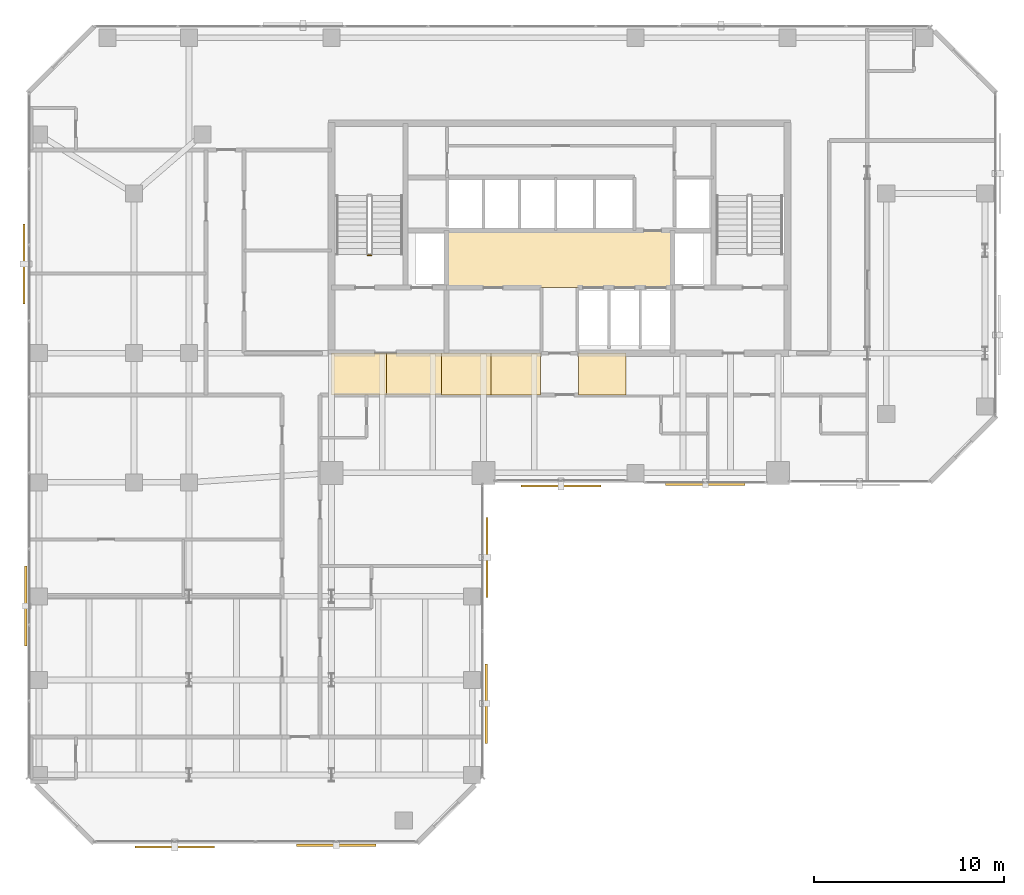
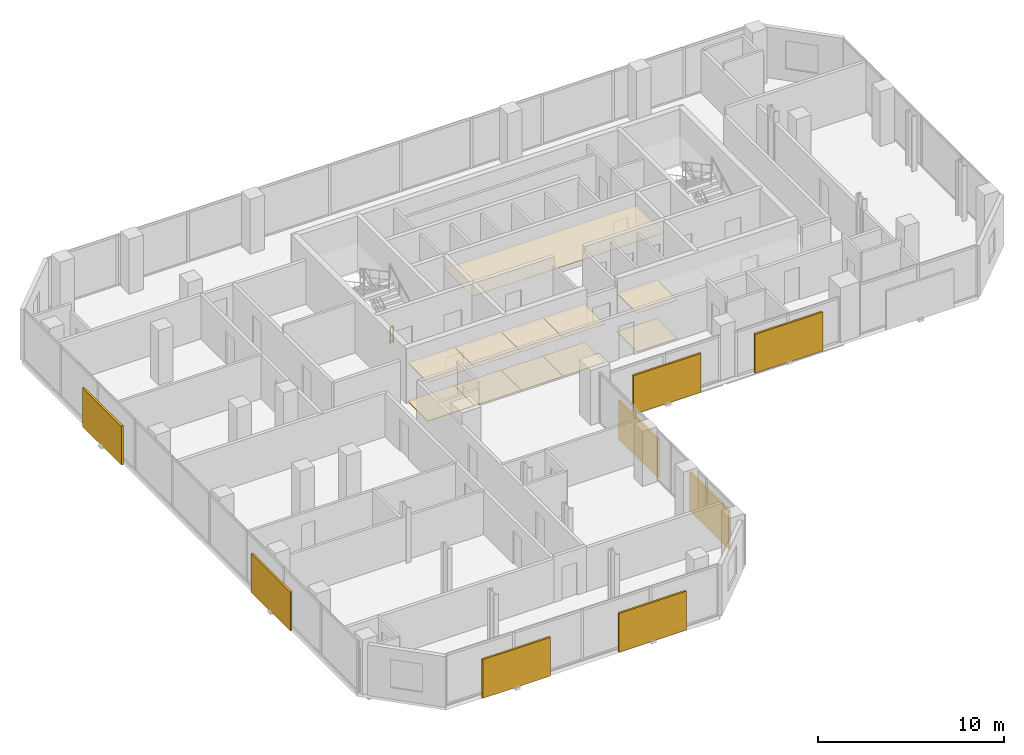
# One storey, part 32 of 33: 11 coverings, 8 shading devices, 1 railing.
"""IFC4 building model written with IfcOpenShell, lengths in metres."""

from ifc_helpers import new_model, si_unit, direction, frame, origin, origin_2d, place, context, subcontext, project, spatial, polyline, rectangle, circle, outline, extrude, material, layer, layer_set, type_object, element, save


model = new_model("IFC4")

# Units and contexts
model_context = context("Model", 3, precision=1e-05, world=origin(), true_north=direction((0.0, 1.0)))
body_context = subcontext(model_context, "Body", "Model", "MODEL_VIEW")
ifc_project = project(units=[si_unit("LENGTHUNIT", "METRE"), si_unit("AREAUNIT", "SQUARE_METRE"), si_unit("VOLUMEUNIT", "CUBIC_METRE"), si_unit("PLANEANGLEUNIT", "RADIAN"), si_unit("MASSUNIT", "GRAM", prefix="KILO")], contexts=[model_context])

# Site, building, storey
site_placement = place(None, origin())
site = spatial("IfcSite", under=ifc_project, at=site_placement, CompositionType="ELEMENT")
building_placement = place(site_placement, origin())
building = spatial("IfcBuilding", under=site, at=building_placement, Name="Catumbela Crestline Tower", CompositionType="ELEMENT")
storey_placement = place(building_placement, frame((0.0, 0.0, 108.0)))
storey = spatial("IfcBuildingStorey", under=building, at=storey_placement, Name="L27", CompositionType="ELEMENT", Elevation=108.0)

# Coverings
ifc_material_1 = material(Name="Mineral-fibre acoustic ceiling")
ifc_layer_1 = layer(ifc_material_1, 0.03, Name="Mineral-fibre acoustic ceiling")
ifc_layer_set_1 = layer_set([ifc_layer_1], Name="Mineral-fibre acoustic ceiling")
covering_type_1 = type_object("IfcCoveringType", Name="CC-AC", PredefinedType="CEILING", material=ifc_layer_set_1)
covering_1_placement = place(storey_placement, frame((0.0, 0.0, 2.65)))
element("IfcCovering", 1, at=covering_1_placement, inside=storey, type_object=covering_type_1, Name="L27 Lift Lobby Acoustic Ceiling", PredefinedType="CEILING", context=body_context, shape_type="SweptSolid", body=[
    extrude(outline(polyline([(22.05, 34.25), (33.95, 34.25), (33.95, 37.25), (22.05, 37.25), (22.05, 34.25)])), origin(), (0.0, 0.0, 1.0), 0.03),
])
covering_2_placement = place(storey_placement, frame((0.0, 0.0, 2.52)))
element("IfcCovering", 2, at=covering_2_placement, inside=storey, type_object=covering_type_1, Name="L27 Corridor Acoustic Ceiling Bay 1", PredefinedType="CEILING", context=body_context, shape_type="SweptSolid", body=[
    extrude(outline(polyline([(16.0, 28.6), (18.9, 28.6), (18.9, 30.8), (16.0, 30.8), (16.0, 28.6)])), origin(), (0.0, 0.0, 1.0), 0.03),
])
covering_3_placement = place(storey_placement, frame((0.0, 0.0, 2.52)))
element("IfcCovering", 3, at=covering_3_placement, inside=storey, type_object=covering_type_1, Name="L27 Corridor Acoustic Ceiling Bay 2", PredefinedType="CEILING", context=body_context, shape_type="SweptSolid", body=[
    extrude(outline(polyline([(18.9, 28.6), (21.8, 28.6), (21.8, 30.8), (18.9, 30.8), (18.9, 28.6)])), origin(), (0.0, 0.0, 1.0), 0.03),
])
covering_4_placement = place(storey_placement, frame((0.0, 0.0, 2.52)))
element("IfcCovering", 4, at=covering_4_placement, inside=storey, type_object=covering_type_1, Name="L27 Corridor Acoustic Ceiling Bay 3", PredefinedType="CEILING", context=body_context, shape_type="SweptSolid", body=[
    extrude(outline(polyline([(21.8, 28.6), (24.4, 28.6), (24.4, 30.8), (21.8, 30.8), (21.8, 28.6)])), origin(), (0.0, 0.0, 1.0), 0.03),
])
covering_5_placement = place(storey_placement, frame((0.0, 0.0, 2.52)))
element("IfcCovering", 5, at=covering_5_placement, inside=storey, type_object=covering_type_1, Name="L27 Corridor Acoustic Ceiling Bay 4", PredefinedType="CEILING", context=body_context, shape_type="SweptSolid", body=[
    extrude(outline(polyline([(24.4, 28.6), (27.0, 28.6), (27.0, 30.8), (24.4, 30.8), (24.4, 28.6)])), origin(), (0.0, 0.0, 1.0), 0.03),
])
covering_6_placement = place(storey_placement, frame((0.0, 0.0, 2.52)))
element("IfcCovering", 6, at=covering_6_placement, inside=storey, type_object=covering_type_1, Name="L27 Corridor Acoustic Ceiling Bay 5", PredefinedType="CEILING", context=body_context, shape_type="SweptSolid", body=[
    extrude(outline(polyline([(29.0, 28.6), (31.5, 28.6), (31.5, 30.8), (29.0, 30.8), (29.0, 28.6)])), origin(), (0.0, 0.0, 1.0), 0.03),
])
ifc_material_2 = material(Name="Angolan grey-ochre granite", Category="masonry")
ifc_layer_2 = layer(ifc_material_2, 0.025, Name="Angolan grey-ochre granite")
ifc_layer_set_2 = layer_set([ifc_layer_2], Name="Angolan grey-ochre granite")
covering_type_2 = type_object("IfcCoveringType", Name="CF-GR", PredefinedType="FLOORING", material=ifc_layer_set_2)
covering_7_placement = place(storey_placement, origin())
element("IfcCovering", 7, at=covering_7_placement, inside=storey, type_object=covering_type_2, Name="L27 Corridor Granite Flooring Bay 1", PredefinedType="FLOORING", context=body_context, shape_type="SweptSolid", body=[
    extrude(outline(polyline([(16.0, 28.6), (18.9, 28.6), (18.9, 30.8), (16.0, 30.8), (16.0, 28.6)])), origin(), (0.0, 0.0, 1.0), 0.025),
])
covering_8_placement = place(storey_placement, origin())
element("IfcCovering", 8, at=covering_8_placement, inside=storey, type_object=covering_type_2, Name="L27 Corridor Granite Flooring Bay 2", PredefinedType="FLOORING", context=body_context, shape_type="SweptSolid", body=[
    extrude(outline(polyline([(18.9, 28.6), (21.8, 28.6), (21.8, 30.8), (18.9, 30.8), (18.9, 28.6)])), origin(), (0.0, 0.0, 1.0), 0.025),
])
covering_9_placement = place(storey_placement, origin())
element("IfcCovering", 9, at=covering_9_placement, inside=storey, type_object=covering_type_2, Name="L27 Corridor Granite Flooring Bay 3", PredefinedType="FLOORING", context=body_context, shape_type="SweptSolid", body=[
    extrude(outline(polyline([(21.8, 28.6), (24.4, 28.6), (24.4, 30.8), (21.8, 30.8), (21.8, 28.6)])), origin(), (0.0, 0.0, 1.0), 0.025),
])
covering_10_placement = place(storey_placement, origin())
element("IfcCovering", 10, at=covering_10_placement, inside=storey, type_object=covering_type_2, Name="L27 Corridor Granite Flooring Bay 4", PredefinedType="FLOORING", context=body_context, shape_type="SweptSolid", body=[
    extrude(outline(polyline([(24.4, 28.6), (27.0, 28.6), (27.0, 30.8), (24.4, 30.8), (24.4, 28.6)])), origin(), (0.0, 0.0, 1.0), 0.025),
])
covering_11_placement = place(storey_placement, origin())
element("IfcCovering", 11, at=covering_11_placement, inside=storey, type_object=covering_type_2, Name="L27 Corridor Granite Flooring Bay 5", PredefinedType="FLOORING", context=body_context, shape_type="SweptSolid", body=[
    extrude(outline(polyline([(29.0, 28.6), (31.5, 28.6), (31.5, 30.8), (29.0, 30.8), (29.0, 28.6)])), origin(), (0.0, 0.0, 1.0), 0.025),
])

# Railing
ifc_material_3 = material(Name="Stainless steel EN 1.4401", Category="steel")
railing_type = type_object("IfcRailingType", Name="RG-1100", PredefinedType="GUARDRAIL", material=ifc_material_3)
railing_placement = place(storey_placement, frame((18.09, 35.95, 0.0)))
element("IfcRailing", 12, at=railing_placement, inside=storey, type_object=railing_type, Name="L27 ST-01 stair guard 4", PredefinedType="GUARDRAIL", context=body_context, shape_type="SweptSolid", body=[
    extrude(circle(Radius=0.024, at=origin_2d()), frame((0.0, 0.0, 1.076), z_axis=(-1.0, 0.0, 0.0), x_axis=(0.0, -1.0, 0.0)), (0.0, 0.0, 1.0), 0.18),
    extrude(circle(Radius=0.0156, at=origin_2d()), frame((0.0, 0.0, 0.55), z_axis=(-1.0, 0.0, 0.0), x_axis=(0.0, -1.0, 0.0)), (0.0, 0.0, 1.0), 0.18),
    extrude(circle(Radius=0.0156, at=origin_2d()), frame((0.0, 0.0, 0.12), z_axis=(-1.0, 0.0, 0.0), x_axis=(0.0, -1.0, 0.0)), (0.0, 0.0, 1.0), 0.18),
    extrude(circle(Radius=0.021, at=origin_2d()), origin(), (0.0, 0.0, 1.0), 1.052),
    extrude(circle(Radius=0.021, at=origin_2d()), frame((-0.18, 0.0, 0.0)), (0.0, 0.0, 1.0), 1.052),
])

# Shading devices
ifc_material_4 = material(Name="Extruded terracotta ceramic", Category="masonry")
shading_device_type_1 = type_object("IfcShadingDeviceType", Name="ST-180", PredefinedType="USERDEFINED", material=ifc_material_4)
for number, where, z_axis, x_axis, name in (
    (13, (16.25, 4.901, -0.1), (0.0, 0.0, 1.0), (1.0, 0.0, 0.0), "L27 Perforated Terracotta Solar Screen 277 (180 mm)"),
    (14, (35.675, 23.901, -0.1), (0.0, 0.0, 1.0), (1.0, 0.0, 0.0), "L27 Perforated Terracotta Solar Screen 281 (180 mm)"),
    (15, (-0.099, 17.5, -0.1), (0.0, 0.0, 1.0), (0.0, -1.0, 0.0), "L27 Perforated Terracotta Solar Screen 288 (180 mm)"),
):
    element("IfcShadingDevice", number, at=place(storey_placement, frame(where, z_axis=z_axis, x_axis=x_axis)), inside=storey, type_object=shading_device_type_1, Name=name, ObjectType="SCREEN", PredefinedType="USERDEFINED", context=body_context, shape_type="SweptSolid", body=[
        extrude(rectangle(XDim=4.2, YDim=0.12, at=origin_2d()), origin(), (0.0, 0.0, 1.0), 2.55),
    ])
shading_device_type_2 = type_object("IfcShadingDeviceType", Name="ST-260", PredefinedType="USERDEFINED", material=ifc_material_4)
shading_device_placement = place(storey_placement, frame((24.143, 12.35, -0.1), z_axis=(0.0, 0.0, 1.0), x_axis=(0.0, 1.0, 0.0)))
element("IfcShadingDevice", 16, at=shading_device_placement, inside=storey, type_object=shading_device_type_2, Name="L27 Perforated Terracotta Solar Screen 278 (260 mm)", ObjectType="SCREEN", PredefinedType="USERDEFINED", context=body_context, shape_type="SweptSolid", body=[
    extrude(rectangle(XDim=4.2, YDim=0.12, at=origin_2d()), origin(), (0.0, 0.0, 1.0), 2.55),
])
shading_device_type_3 = type_object("IfcShadingDeviceType", Name="ST-340", PredefinedType="USERDEFINED", material=ifc_material_4)
for number, where, z_axis, x_axis, name in (
    (17, (7.75, 4.813, -0.1), (0.0, 0.0, 1.0), (1.0, 0.0, 0.0), "L27 Perforated Terracotta Solar Screen 276 (340 mm)"),
    (18, (24.187, 20.05, -0.1), (0.0, 0.0, 1.0), (0.0, 1.0, 0.0), "L27 Perforated Terracotta Solar Screen 279 (340 mm)"),
    (19, (28.075, 23.813, -0.1), (0.0, 0.0, 1.0), (1.0, 0.0, 0.0), "L27 Perforated Terracotta Solar Screen 280 (340 mm)"),
    (20, (-0.187, 35.5, -0.1), (0.0, 0.0, 1.0), (0.0, -1.0, 0.0), "L27 Perforated Terracotta Solar Screen 287 (340 mm)"),
):
    element("IfcShadingDevice", number, at=place(storey_placement, frame(where, z_axis=z_axis, x_axis=x_axis)), inside=storey, type_object=shading_device_type_3, Name=name, ObjectType="SCREEN", PredefinedType="USERDEFINED", context=body_context, shape_type="SweptSolid", body=[
        extrude(rectangle(XDim=4.2, YDim=0.12, at=origin_2d()), origin(), (0.0, 0.0, 1.0), 2.55),
    ])

save(model, "model.ifc")
